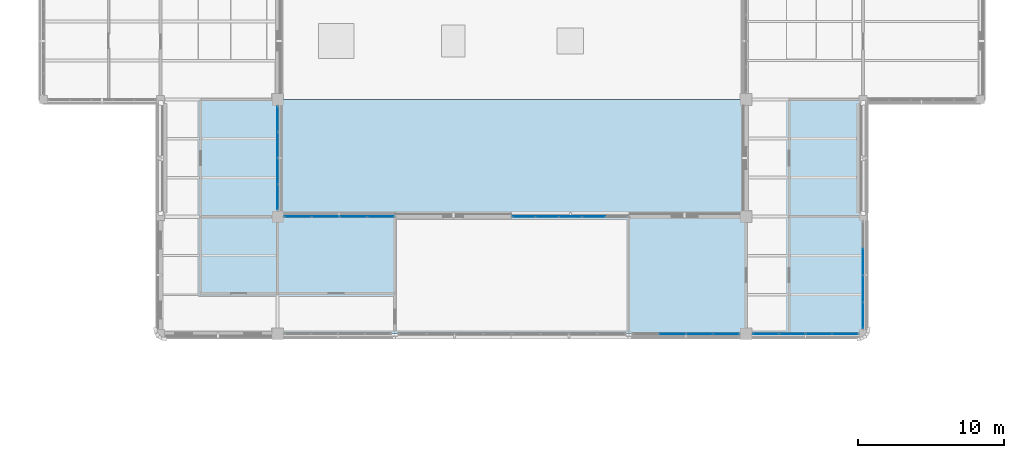
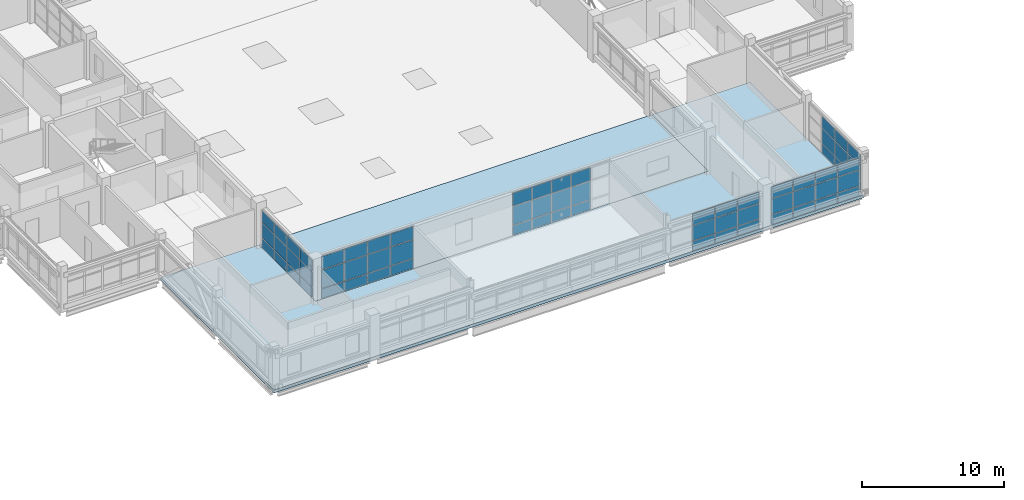
# One storey, part 59 of 107: 66 plates, 2 slabs, 6 elements without a shape of their own.
"""IFC4 building model written with IfcOpenShell, lengths in metres."""

from ifc_helpers import new_model, si_unit, derived_unit, direction, frame, origin, origin_2d, place, context, subcontext, project, spatial, polyline, rectangle, outline, extrude, material, layer, layer_set, type_object, element, aggregate, save


model = new_model("IFC4")

# Units and contexts
model_context = context("Model", 3, precision=1e-05, world=origin(), true_north=direction((0.0, 1.0)))
body_context = subcontext(model_context, "Body", "Model", "MODEL_VIEW")
ifc_project = project(units=[si_unit("LENGTHUNIT", "METRE"), si_unit("AREAUNIT", "SQUARE_METRE"), si_unit("VOLUMEUNIT", "CUBIC_METRE"), si_unit("PLANEANGLEUNIT", "RADIAN"), si_unit("MASSUNIT", "GRAM", prefix="KILO"), derived_unit("THERMALTRANSMITTANCEUNIT", [(si_unit("MASSUNIT", "GRAM", prefix="KILO"), 1), (si_unit("TIMEUNIT", "SECOND"), -3), (si_unit("THERMODYNAMICTEMPERATUREUNIT", "KELVIN"), -1)])], contexts=[model_context])

# Site, building, storey
site_placement = place(None, origin())
site = spatial("IfcSite", under=ifc_project, at=site_placement, CompositionType="ELEMENT")
building_placement = place(site_placement, origin())
building = spatial("IfcBuilding", under=site, at=building_placement, Name="Veyamyaing Civic Hall", CompositionType="ELEMENT")
storey_placement = place(building_placement, frame((0.0, 0.0, 13.860107421875)))
storey = spatial("IfcBuildingStorey", under=building, at=storey_placement, Name="L03", CompositionType="ELEMENT", Elevation=13.860107421875)

# Curtain wall, plates
ifc_material_1 = material(Name="Anodised aluminium 6063-T6", Category="aluminium")
ifc_layer_1 = layer(ifc_material_1, 0.159912109375, Name="Anodised aluminium 6063-T6")
ifc_layer_set_1 = layer_set([ifc_layer_1], Name="Anodised aluminium 6063-T6")
curtain_wall_type = type_object("IfcCurtainWallType", Name="CW-07", PredefinedType="NOTDEFINED", material=ifc_layer_set_1)
curtain_wall_1_placement = place(storey_placement, origin())
curtain_wall_1 = element("IfcCurtainWall", 1, at=curtain_wall_1_placement, inside=storey, type_object=curtain_wall_type, Name="Unitized curtain wall CW-07 L03 N 12.4", PredefinedType="NOTDEFINED")
ifc_material_2 = material(Name="Low-E insulated glass", Category="glass")
ifc_layer_2 = layer(ifc_material_2, 0.028076171875, Name="Low-E insulated glass")
ifc_layer_set_2 = layer_set([ifc_layer_2], Name="Low-E insulated glass")
plate_type_1 = type_object("IfcPlateType", Name="CWP-01", PredefinedType="CURTAIN_PANEL", material=ifc_layer_set_2)
plate_1_placement = place(storey_placement, frame((88.816162109375, 32.0, 0.06494140625), z_axis=(0.0, 0.0, 1.0), x_axis=(1.0, 0.0, 0.0)))
plate_1 = element("IfcPlate", 2, at=plate_1_placement, type_object=plate_type_1, Name="CW-07 panel 1.1", PredefinedType="CURTAIN_PANEL", context=body_context, shape_type="SweptSolid", body=[
    extrude(rectangle(XDim=1.50244140625, YDim=0.028076171875, at=origin_2d()), origin(), (0.0, 0.0, 1.0), 0.802490234375),
])
plate_2_placement = place(storey_placement, frame((88.816162109375, 32.0, 0.93212890625), z_axis=(0.0, 0.0, 1.0), x_axis=(1.0, 0.0, 0.0)))
plate_2 = element("IfcPlate", 3, at=plate_2_placement, type_object=plate_type_1, Name="CW-07 panel 1.2", PredefinedType="CURTAIN_PANEL", context=body_context, shape_type="SweptSolid", body=[
    extrude(rectangle(XDim=1.50244140625, YDim=0.028076171875, at=origin_2d()), origin(), (0.0, 0.0, 1.0), 1.568115234375),
])
plate_3_placement = place(storey_placement, frame((88.816162109375, 32.0, 2.5654296875), z_axis=(0.0, 0.0, 1.0), x_axis=(1.0, 0.0, 0.0)))
plate_3 = element("IfcPlate", 4, at=plate_3_placement, type_object=plate_type_1, Name="CW-07 panel 1.3", PredefinedType="CURTAIN_PANEL", context=body_context, shape_type="SweptSolid", body=[
    extrude(rectangle(XDim=1.50244140625, YDim=0.028076171875, at=origin_2d()), origin(), (0.0, 0.0, 1.0), 1.094482421875),
])
plate_4_placement = place(storey_placement, frame((90.39990234375, 32.0, 0.06494140625), z_axis=(0.0, 0.0, 1.0), x_axis=(1.0, 0.0, 0.0)))
plate_4 = element("IfcPlate", 5, at=plate_4_placement, type_object=plate_type_1, Name="CW-07 panel 2.1", PredefinedType="CURTAIN_PANEL", context=body_context, shape_type="SweptSolid", body=[
    extrude(rectangle(XDim=1.534912109375, YDim=0.028076171875, at=origin_2d()), origin(), (0.0, 0.0, 1.0), 0.802490234375),
])
plate_5_placement = place(storey_placement, frame((90.39990234375, 32.0, 0.93212890625), z_axis=(0.0, 0.0, 1.0), x_axis=(1.0, 0.0, 0.0)))
plate_5 = element("IfcPlate", 6, at=plate_5_placement, type_object=plate_type_1, Name="CW-07 panel 2.2", PredefinedType="CURTAIN_PANEL", context=body_context, shape_type="SweptSolid", body=[
    extrude(rectangle(XDim=1.534912109375, YDim=0.028076171875, at=origin_2d()), origin(), (0.0, 0.0, 1.0), 1.568115234375),
])
plate_6_placement = place(storey_placement, frame((90.39990234375, 32.0, 2.5654296875), z_axis=(0.0, 0.0, 1.0), x_axis=(1.0, 0.0, 0.0)))
plate_6 = element("IfcPlate", 7, at=plate_6_placement, type_object=plate_type_1, Name="CW-07 panel 2.3", PredefinedType="CURTAIN_PANEL", context=body_context, shape_type="SweptSolid", body=[
    extrude(rectangle(XDim=1.534912109375, YDim=0.028076171875, at=origin_2d()), origin(), (0.0, 0.0, 1.0), 1.094482421875),
])
plate_7_placement = place(storey_placement, frame((92.0, 32.0, 0.06494140625), z_axis=(0.0, 0.0, 1.0), x_axis=(1.0, 0.0, 0.0)))
plate_7 = element("IfcPlate", 8, at=plate_7_placement, type_object=plate_type_1, Name="CW-07 panel 3.1", PredefinedType="CURTAIN_PANEL", context=body_context, shape_type="SweptSolid", body=[
    extrude(rectangle(XDim=1.534912109375, YDim=0.028076171875, at=origin_2d()), origin(), (0.0, 0.0, 1.0), 0.802490234375),
])
plate_8_placement = place(storey_placement, frame((92.0, 32.0, 0.93212890625), z_axis=(0.0, 0.0, 1.0), x_axis=(1.0, 0.0, 0.0)))
plate_8 = element("IfcPlate", 9, at=plate_8_placement, type_object=plate_type_1, Name="CW-07 panel 3.2", PredefinedType="CURTAIN_PANEL", context=body_context, shape_type="SweptSolid", body=[
    extrude(rectangle(XDim=1.534912109375, YDim=0.028076171875, at=origin_2d()), origin(), (0.0, 0.0, 1.0), 1.568115234375),
])
plate_9_placement = place(storey_placement, frame((92.0, 32.0, 2.5654296875), z_axis=(0.0, 0.0, 1.0), x_axis=(1.0, 0.0, 0.0)))
plate_9 = element("IfcPlate", 10, at=plate_9_placement, type_object=plate_type_1, Name="CW-07 panel 3.3", PredefinedType="CURTAIN_PANEL", context=body_context, shape_type="SweptSolid", body=[
    extrude(rectangle(XDim=1.534912109375, YDim=0.028076171875, at=origin_2d()), origin(), (0.0, 0.0, 1.0), 1.094482421875),
])
plate_10_placement = place(storey_placement, frame((93.60009765625, 32.0, 0.06494140625), z_axis=(0.0, 0.0, 1.0), x_axis=(1.0, 0.0, 0.0)))
plate_10 = element("IfcPlate", 11, at=plate_10_placement, type_object=plate_type_1, Name="CW-07 panel 4.1", PredefinedType="CURTAIN_PANEL", context=body_context, shape_type="SweptSolid", body=[
    extrude(rectangle(XDim=1.534912109375, YDim=0.028076171875, at=origin_2d()), origin(), (0.0, 0.0, 1.0), 0.802490234375),
])
plate_11_placement = place(storey_placement, frame((93.60009765625, 32.0, 0.93212890625), z_axis=(0.0, 0.0, 1.0), x_axis=(1.0, 0.0, 0.0)))
plate_11 = element("IfcPlate", 12, at=plate_11_placement, type_object=plate_type_1, Name="CW-07 panel 4.2", PredefinedType="CURTAIN_PANEL", context=body_context, shape_type="SweptSolid", body=[
    extrude(rectangle(XDim=1.534912109375, YDim=0.028076171875, at=origin_2d()), origin(), (0.0, 0.0, 1.0), 1.568115234375),
])
plate_12_placement = place(storey_placement, frame((93.60009765625, 32.0, 2.5654296875), z_axis=(0.0, 0.0, 1.0), x_axis=(1.0, 0.0, 0.0)))
plate_12 = element("IfcPlate", 13, at=plate_12_placement, type_object=plate_type_1, Name="CW-07 panel 4.3", PredefinedType="CURTAIN_PANEL", context=body_context, shape_type="SweptSolid", body=[
    extrude(rectangle(XDim=1.534912109375, YDim=0.028076171875, at=origin_2d()), origin(), (0.0, 0.0, 1.0), 1.094482421875),
])
aggregate(curtain_wall_1, [plate_1, plate_2, plate_3, plate_4, plate_5, plate_6, plate_7, plate_8, plate_9, plate_10, plate_11, plate_12])

curtain_wall_2_placement = place(storey_placement, origin())
curtain_wall_2 = element("IfcCurtainWall", 14, at=curtain_wall_2_placement, inside=storey, type_object=curtain_wall_type, Name="Unitized curtain wall CW-07 L03 S 13.4", PredefinedType="NOTDEFINED")
ifc_layer_3 = layer(ifc_material_2, 0.031982421875, Name="Low-E insulated glass")
ifc_layer_set_3 = layer_set([ifc_layer_3], Name="Low-E insulated glass")
plate_type_2 = type_object("IfcPlateType", Name="CWP-02", PredefinedType="CURTAIN_PANEL", material=ifc_layer_set_3)
plate_13_placement = place(storey_placement, frame((98.972900390625, 24.0, 0.06494140625), z_axis=(0.0, 0.0, 1.0), x_axis=(1.0, 0.0, 0.0)))
plate_13 = element("IfcPlate", 15, at=plate_13_placement, type_object=plate_type_2, Name="CW-07 panel 2.1", PredefinedType="CURTAIN_PANEL", context=body_context, shape_type="SweptSolid", body=[
    extrude(rectangle(XDim=1.77392578125, YDim=0.031982421875, at=origin_2d()), origin(), (0.0, 0.0, 1.0), 0.802490234375),
])
plate_14_placement = place(storey_placement, frame((98.972900390625, 24.0, 0.932373046875), z_axis=(0.0, 0.0, 1.0), x_axis=(1.0, 0.0, 0.0)))
plate_14 = element("IfcPlate", 16, at=plate_14_placement, type_object=plate_type_2, Name="CW-07 panel 2.2", PredefinedType="CURTAIN_PANEL", context=body_context, shape_type="SweptSolid", body=[
    extrude(rectangle(XDim=1.77392578125, YDim=0.031982421875, at=origin_2d()), origin(), (0.0, 0.0, 1.0), 1.2783203125),
])
plate_15_placement = place(storey_placement, frame((98.972900390625, 24.0, 2.27587890625), z_axis=(0.0, 0.0, 1.0), x_axis=(1.0, 0.0, 0.0)))
plate_15 = element("IfcPlate", 17, at=plate_15_placement, type_object=plate_type_2, Name="CW-07 panel 2.3", PredefinedType="CURTAIN_PANEL", context=body_context, shape_type="SweptSolid", body=[
    extrude(rectangle(XDim=1.77392578125, YDim=0.031982421875, at=origin_2d()), origin(), (0.0, 0.0, 1.0), 0.958251953125),
])
plate_16_placement = place(storey_placement, frame((100.811767578125, 24.0, 0.06494140625), z_axis=(0.0, 0.0, 1.0), x_axis=(1.0, 0.0, 0.0)))
plate_16 = element("IfcPlate", 18, at=plate_16_placement, type_object=plate_type_2, Name="CW-07 panel 3.1", PredefinedType="CURTAIN_PANEL", context=body_context, shape_type="SweptSolid", body=[
    extrude(rectangle(XDim=1.77392578125, YDim=0.031982421875, at=origin_2d()), origin(), (0.0, 0.0, 1.0), 0.802490234375),
])
plate_17_placement = place(storey_placement, frame((100.811767578125, 24.0, 0.932373046875), z_axis=(0.0, 0.0, 1.0), x_axis=(1.0, 0.0, 0.0)))
plate_17 = element("IfcPlate", 19, at=plate_17_placement, type_object=plate_type_2, Name="CW-07 panel 3.2", PredefinedType="CURTAIN_PANEL", context=body_context, shape_type="SweptSolid", body=[
    extrude(rectangle(XDim=1.77392578125, YDim=0.031982421875, at=origin_2d()), origin(), (0.0, 0.0, 1.0), 1.2783203125),
])
plate_18_placement = place(storey_placement, frame((100.811767578125, 24.0, 2.27587890625), z_axis=(0.0, 0.0, 1.0), x_axis=(1.0, 0.0, 0.0)))
plate_18 = element("IfcPlate", 20, at=plate_18_placement, type_object=plate_type_2, Name="CW-07 panel 3.3", PredefinedType="CURTAIN_PANEL", context=body_context, shape_type="SweptSolid", body=[
    extrude(rectangle(XDim=1.77392578125, YDim=0.031982421875, at=origin_2d()), origin(), (0.0, 0.0, 1.0), 0.958251953125),
])
plate_19_placement = place(storey_placement, frame((102.63427734375, 24.0, 0.06494140625), z_axis=(0.0, 0.0, 1.0), x_axis=(1.0, 0.0, 0.0)))
plate_19 = element("IfcPlate", 21, at=plate_19_placement, type_object=plate_type_2, Name="CW-07 panel 4.1", PredefinedType="CURTAIN_PANEL", context=body_context, shape_type="SweptSolid", body=[
    extrude(rectangle(XDim=1.741455078125, YDim=0.031982421875, at=origin_2d()), origin(), (0.0, 0.0, 1.0), 0.802490234375),
])
plate_20_placement = place(storey_placement, frame((102.63427734375, 24.0, 0.932373046875), z_axis=(0.0, 0.0, 1.0), x_axis=(1.0, 0.0, 0.0)))
plate_20 = element("IfcPlate", 22, at=plate_20_placement, type_object=plate_type_2, Name="CW-07 panel 4.2", PredefinedType="CURTAIN_PANEL", context=body_context, shape_type="SweptSolid", body=[
    extrude(rectangle(XDim=1.741455078125, YDim=0.031982421875, at=origin_2d()), origin(), (0.0, 0.0, 1.0), 1.2783203125),
])
plate_21_placement = place(storey_placement, frame((102.63427734375, 24.0, 2.27587890625), z_axis=(0.0, 0.0, 1.0), x_axis=(1.0, 0.0, 0.0)))
plate_21 = element("IfcPlate", 23, at=plate_21_placement, type_object=plate_type_2, Name="CW-07 panel 4.3", PredefinedType="CURTAIN_PANEL", context=body_context, shape_type="SweptSolid", body=[
    extrude(rectangle(XDim=1.741455078125, YDim=0.031982421875, at=origin_2d()), origin(), (0.0, 0.0, 1.0), 0.958251953125),
])
aggregate(curtain_wall_2, [plate_13, plate_14, plate_15, plate_16, plate_17, plate_18, plate_19, plate_20, plate_21])

curtain_wall_3_placement = place(storey_placement, origin())
curtain_wall_3 = element("IfcCurtainWall", 24, at=curtain_wall_3_placement, inside=storey, type_object=curtain_wall_type, Name="Unitized curtain wall CW-07 L03 S 14.4", PredefinedType="NOTDEFINED")
ifc_layer_4 = layer(ifc_material_2, 0.035888671875, Name="Low-E insulated glass")
ifc_layer_set_4 = layer_set([ifc_layer_4], Name="Low-E insulated glass")
plate_type_3 = type_object("IfcPlateType", Name="CWP-03", PredefinedType="CURTAIN_PANEL", material=ifc_layer_set_4)
plate_22_placement = place(storey_placement, frame((105.3544921875, 24.0, 0.06494140625), z_axis=(0.0, 0.0, 1.0), x_axis=(1.0, 0.0, 0.0)))
plate_22 = element("IfcPlate", 25, at=plate_22_placement, type_object=plate_type_3, Name="CW-07 panel 1.1", PredefinedType="CURTAIN_PANEL", context=body_context, shape_type="SweptSolid", body=[
    extrude(rectangle(XDim=1.71875, YDim=0.035888671875, at=origin_2d()), origin(), (0.0, 0.0, 1.0), 0.802490234375),
])
plate_23_placement = place(storey_placement, frame((105.3544921875, 24.0, 0.932373046875), z_axis=(0.0, 0.0, 1.0), x_axis=(1.0, 0.0, 0.0)))
plate_23 = element("IfcPlate", 26, at=plate_23_placement, type_object=plate_type_3, Name="CW-07 panel 1.2", PredefinedType="CURTAIN_PANEL", context=body_context, shape_type="SweptSolid", body=[
    extrude(rectangle(XDim=1.71875, YDim=0.035888671875, at=origin_2d()), origin(), (0.0, 0.0, 1.0), 1.32470703125),
])
plate_24_placement = place(storey_placement, frame((105.3544921875, 24.0, 2.322021484375), z_axis=(0.0, 0.0, 1.0), x_axis=(1.0, 0.0, 0.0)))
plate_24 = element("IfcPlate", 27, at=plate_24_placement, type_object=plate_type_3, Name="CW-07 panel 1.3", PredefinedType="CURTAIN_PANEL", context=body_context, shape_type="SweptSolid", body=[
    extrude(rectangle(XDim=1.71875, YDim=0.035888671875, at=origin_2d()), origin(), (0.0, 0.0, 1.0), 0.97998046875),
])
plate_25_placement = place(storey_placement, frame((107.154296875, 24.0, 0.06494140625), z_axis=(0.0, 0.0, 1.0), x_axis=(1.0, 0.0, 0.0)))
plate_25 = element("IfcPlate", 28, at=plate_25_placement, type_object=plate_type_3, Name="CW-07 panel 2.1", PredefinedType="CURTAIN_PANEL", context=body_context, shape_type="SweptSolid", body=[
    extrude(rectangle(XDim=1.751220703125, YDim=0.035888671875, at=origin_2d()), origin(), (0.0, 0.0, 1.0), 0.802490234375),
])
plate_26_placement = place(storey_placement, frame((107.154296875, 24.0, 0.932373046875), z_axis=(0.0, 0.0, 1.0), x_axis=(1.0, 0.0, 0.0)))
plate_26 = element("IfcPlate", 29, at=plate_26_placement, type_object=plate_type_3, Name="CW-07 panel 2.2", PredefinedType="CURTAIN_PANEL", context=body_context, shape_type="SweptSolid", body=[
    extrude(rectangle(XDim=1.751220703125, YDim=0.035888671875, at=origin_2d()), origin(), (0.0, 0.0, 1.0), 1.32470703125),
])
plate_27_placement = place(storey_placement, frame((107.154296875, 24.0, 2.322021484375), z_axis=(0.0, 0.0, 1.0), x_axis=(1.0, 0.0, 0.0)))
plate_27 = element("IfcPlate", 30, at=plate_27_placement, type_object=plate_type_3, Name="CW-07 panel 2.3", PredefinedType="CURTAIN_PANEL", context=body_context, shape_type="SweptSolid", body=[
    extrude(rectangle(XDim=1.751220703125, YDim=0.035888671875, at=origin_2d()), origin(), (0.0, 0.0, 1.0), 0.97998046875),
])
plate_28_placement = place(storey_placement, frame((108.970703125, 24.0, 0.06494140625), z_axis=(0.0, 0.0, 1.0), x_axis=(1.0, 0.0, 0.0)))
plate_28 = element("IfcPlate", 31, at=plate_28_placement, type_object=plate_type_3, Name="CW-07 panel 3.1", PredefinedType="CURTAIN_PANEL", context=body_context, shape_type="SweptSolid", body=[
    extrude(rectangle(XDim=1.751220703125, YDim=0.035888671875, at=origin_2d()), origin(), (0.0, 0.0, 1.0), 0.802490234375),
])
plate_29_placement = place(storey_placement, frame((108.970703125, 24.0, 0.932373046875), z_axis=(0.0, 0.0, 1.0), x_axis=(1.0, 0.0, 0.0)))
plate_29 = element("IfcPlate", 32, at=plate_29_placement, type_object=plate_type_3, Name="CW-07 panel 3.2", PredefinedType="CURTAIN_PANEL", context=body_context, shape_type="SweptSolid", body=[
    extrude(rectangle(XDim=1.751220703125, YDim=0.035888671875, at=origin_2d()), origin(), (0.0, 0.0, 1.0), 1.32470703125),
])
plate_30_placement = place(storey_placement, frame((108.970703125, 24.0, 2.322021484375), z_axis=(0.0, 0.0, 1.0), x_axis=(1.0, 0.0, 0.0)))
plate_30 = element("IfcPlate", 33, at=plate_30_placement, type_object=plate_type_3, Name="CW-07 panel 3.3", PredefinedType="CURTAIN_PANEL", context=body_context, shape_type="SweptSolid", body=[
    extrude(rectangle(XDim=1.751220703125, YDim=0.035888671875, at=origin_2d()), origin(), (0.0, 0.0, 1.0), 0.97998046875),
])
plate_31_placement = place(storey_placement, frame((110.7705078125, 24.0, 0.06494140625), z_axis=(0.0, 0.0, 1.0), x_axis=(1.0, 0.0, 0.0)))
plate_31 = element("IfcPlate", 34, at=plate_31_placement, type_object=plate_type_3, Name="CW-07 panel 4.1", PredefinedType="CURTAIN_PANEL", context=body_context, shape_type="SweptSolid", body=[
    extrude(rectangle(XDim=1.71875, YDim=0.035888671875, at=origin_2d()), origin(), (0.0, 0.0, 1.0), 0.802490234375),
])
plate_32_placement = place(storey_placement, frame((110.7705078125, 24.0, 0.932373046875), z_axis=(0.0, 0.0, 1.0), x_axis=(1.0, 0.0, 0.0)))
plate_32 = element("IfcPlate", 35, at=plate_32_placement, type_object=plate_type_3, Name="CW-07 panel 4.2", PredefinedType="CURTAIN_PANEL", context=body_context, shape_type="SweptSolid", body=[
    extrude(rectangle(XDim=1.71875, YDim=0.035888671875, at=origin_2d()), origin(), (0.0, 0.0, 1.0), 1.32470703125),
])
plate_33_placement = place(storey_placement, frame((110.7705078125, 24.0, 2.322021484375), z_axis=(0.0, 0.0, 1.0), x_axis=(1.0, 0.0, 0.0)))
plate_33 = element("IfcPlate", 36, at=plate_33_placement, type_object=plate_type_3, Name="CW-07 panel 4.3", PredefinedType="CURTAIN_PANEL", context=body_context, shape_type="SweptSolid", body=[
    extrude(rectangle(XDim=1.71875, YDim=0.035888671875, at=origin_2d()), origin(), (0.0, 0.0, 1.0), 0.97998046875),
])
aggregate(curtain_wall_3, [plate_22, plate_23, plate_24, plate_25, plate_26, plate_27, plate_28, plate_29, plate_30, plate_31, plate_32, plate_33])

curtain_wall_4_placement = place(storey_placement, origin())
curtain_wall_4 = element("IfcCurtainWall", 37, at=curtain_wall_4_placement, inside=storey, type_object=curtain_wall_type, Name="Unitized curtain wall CW-07 L03 E 14.4", PredefinedType="NOTDEFINED")
plate_34_placement = place(storey_placement, frame((112.0, 25.2451171875, 0.06494140625), z_axis=(0.0, 0.0, 1.0), x_axis=(0.0, 1.0, 0.0)))
plate_34 = element("IfcPlate", 38, at=plate_34_placement, type_object=plate_type_3, Name="CW-07 panel 1.1", PredefinedType="CURTAIN_PANEL", context=body_context, shape_type="SweptSolid", body=[
    extrude(rectangle(XDim=1.75, YDim=0.035888671875, at=origin_2d()), origin(), (0.0, 0.0, 1.0), 0.802490234375),
])
plate_35_placement = place(storey_placement, frame((112.0, 25.2451171875, 0.93212890625), z_axis=(0.0, 0.0, 1.0), x_axis=(0.0, 1.0, 0.0)))
plate_35 = element("IfcPlate", 39, at=plate_35_placement, type_object=plate_type_3, Name="CW-07 panel 1.2", PredefinedType="CURTAIN_PANEL", context=body_context, shape_type="SweptSolid", body=[
    extrude(rectangle(XDim=1.75, YDim=0.035888671875, at=origin_2d()), origin(), (0.0, 0.0, 1.0), 1.279052734375),
])
plate_36_placement = place(storey_placement, frame((112.0, 25.2451171875, 2.2763671875), z_axis=(0.0, 0.0, 1.0), x_axis=(0.0, 1.0, 0.0)))
plate_36 = element("IfcPlate", 40, at=plate_36_placement, type_object=plate_type_3, Name="CW-07 panel 1.3", PredefinedType="CURTAIN_PANEL", context=body_context, shape_type="SweptSolid", body=[
    extrude(rectangle(XDim=1.75, YDim=0.035888671875, at=origin_2d()), origin(), (0.0, 0.0, 1.0), 0.95849609375),
])
plate_37_placement = place(storey_placement, frame((112.0, 27.076171875, 0.06494140625), z_axis=(0.0, 0.0, 1.0), x_axis=(0.0, 1.0, 0.0)))
plate_37 = element("IfcPlate", 41, at=plate_37_placement, type_object=plate_type_3, Name="CW-07 panel 2.1", PredefinedType="CURTAIN_PANEL", context=body_context, shape_type="SweptSolid", body=[
    extrude(rectangle(XDim=1.782470703125, YDim=0.035888671875, at=origin_2d()), origin(), (0.0, 0.0, 1.0), 0.802490234375),
])
plate_38_placement = place(storey_placement, frame((112.0, 27.076171875, 0.93212890625), z_axis=(0.0, 0.0, 1.0), x_axis=(0.0, 1.0, 0.0)))
plate_38 = element("IfcPlate", 42, at=plate_38_placement, type_object=plate_type_3, Name="CW-07 panel 2.2", PredefinedType="CURTAIN_PANEL", context=body_context, shape_type="SweptSolid", body=[
    extrude(rectangle(XDim=1.782470703125, YDim=0.035888671875, at=origin_2d()), origin(), (0.0, 0.0, 1.0), 1.279052734375),
])
plate_39_placement = place(storey_placement, frame((112.0, 27.076171875, 2.2763671875), z_axis=(0.0, 0.0, 1.0), x_axis=(0.0, 1.0, 0.0)))
plate_39 = element("IfcPlate", 43, at=plate_39_placement, type_object=plate_type_3, Name="CW-07 panel 2.3", PredefinedType="CURTAIN_PANEL", context=body_context, shape_type="SweptSolid", body=[
    extrude(rectangle(XDim=1.782470703125, YDim=0.035888671875, at=origin_2d()), origin(), (0.0, 0.0, 1.0), 0.95849609375),
])
plate_40_placement = place(storey_placement, frame((112.0, 28.923828125, 0.06494140625), z_axis=(0.0, 0.0, 1.0), x_axis=(0.0, 1.0, 0.0)))
plate_40 = element("IfcPlate", 44, at=plate_40_placement, type_object=plate_type_3, Name="CW-07 panel 3.1", PredefinedType="CURTAIN_PANEL", context=body_context, shape_type="SweptSolid", body=[
    extrude(rectangle(XDim=1.782470703125, YDim=0.035888671875, at=origin_2d()), origin(), (0.0, 0.0, 1.0), 0.802490234375),
])
plate_41_placement = place(storey_placement, frame((112.0, 28.923828125, 0.93212890625), z_axis=(0.0, 0.0, 1.0), x_axis=(0.0, 1.0, 0.0)))
plate_41 = element("IfcPlate", 45, at=plate_41_placement, type_object=plate_type_3, Name="CW-07 panel 3.2", PredefinedType="CURTAIN_PANEL", context=body_context, shape_type="SweptSolid", body=[
    extrude(rectangle(XDim=1.782470703125, YDim=0.035888671875, at=origin_2d()), origin(), (0.0, 0.0, 1.0), 1.279052734375),
])
plate_42_placement = place(storey_placement, frame((112.0, 28.923828125, 2.2763671875), z_axis=(0.0, 0.0, 1.0), x_axis=(0.0, 1.0, 0.0)))
plate_42 = element("IfcPlate", 46, at=plate_42_placement, type_object=plate_type_3, Name="CW-07 panel 3.3", PredefinedType="CURTAIN_PANEL", context=body_context, shape_type="SweptSolid", body=[
    extrude(rectangle(XDim=1.782470703125, YDim=0.035888671875, at=origin_2d()), origin(), (0.0, 0.0, 1.0), 0.95849609375),
])
aggregate(curtain_wall_4, [plate_34, plate_35, plate_36, plate_37, plate_38, plate_39, plate_40, plate_41, plate_42])

curtain_wall_5_placement = place(storey_placement, origin())
curtain_wall_5 = element("IfcCurtainWall", 47, at=curtain_wall_5_placement, inside=storey, type_object=curtain_wall_type, Name="Unitized curtain wall CW-07 L03 E 9.5", PredefinedType="NOTDEFINED")
ifc_layer_5 = layer(ifc_material_2, 0.0400390625, Name="Low-E insulated glass")
ifc_layer_set_5 = layer_set([ifc_layer_5], Name="Low-E insulated glass")
plate_type_4 = type_object("IfcPlateType", Name="CWP-05", PredefinedType="CURTAIN_PANEL", material=ifc_layer_set_5)
plate_43_placement = place(storey_placement, frame((72.0, 33.3388671875, 0.06494140625), z_axis=(0.0, 0.0, 1.0), x_axis=(0.0, 1.0, 0.0)))
plate_43 = element("IfcPlate", 48, at=plate_43_placement, type_object=plate_type_4, Name="CW-07 panel 1.1", PredefinedType="CURTAIN_PANEL", context=body_context, shape_type="SweptSolid", body=[
    extrude(rectangle(XDim=1.6875, YDim=0.0400390625, at=origin_2d()), origin(), (0.0, 0.0, 1.0), 0.802490234375),
])
plate_44_placement = place(storey_placement, frame((72.0, 33.3388671875, 0.93212890625), z_axis=(0.0, 0.0, 1.0), x_axis=(0.0, 1.0, 0.0)))
plate_44 = element("IfcPlate", 49, at=plate_44_placement, type_object=plate_type_4, Name="CW-07 panel 1.2", PredefinedType="CURTAIN_PANEL", context=body_context, shape_type="SweptSolid", body=[
    extrude(rectangle(XDim=1.6875, YDim=0.0400390625, at=origin_2d()), origin(), (0.0, 0.0, 1.0), 1.279052734375),
])
plate_45_placement = place(storey_placement, frame((72.0, 33.3388671875, 2.2763671875), z_axis=(0.0, 0.0, 1.0), x_axis=(0.0, 1.0, 0.0)))
plate_45 = element("IfcPlate", 50, at=plate_45_placement, type_object=plate_type_4, Name="CW-07 panel 1.3", PredefinedType="CURTAIN_PANEL", context=body_context, shape_type="SweptSolid", body=[
    extrude(rectangle(XDim=1.6875, YDim=0.0400390625, at=origin_2d()), origin(), (0.0, 0.0, 1.0), 0.95849609375),
])
plate_46_placement = place(storey_placement, frame((72.0, 35.107421875, 0.06494140625), z_axis=(0.0, 0.0, 1.0), x_axis=(0.0, 1.0, 0.0)))
plate_46 = element("IfcPlate", 51, at=plate_46_placement, type_object=plate_type_4, Name="CW-07 panel 2.1", PredefinedType="CURTAIN_PANEL", context=body_context, shape_type="SweptSolid", body=[
    extrude(rectangle(XDim=1.719970703125, YDim=0.0400390625, at=origin_2d()), origin(), (0.0, 0.0, 1.0), 0.802490234375),
])
plate_47_placement = place(storey_placement, frame((72.0, 35.107421875, 0.93212890625), z_axis=(0.0, 0.0, 1.0), x_axis=(0.0, 1.0, 0.0)))
plate_47 = element("IfcPlate", 52, at=plate_47_placement, type_object=plate_type_4, Name="CW-07 panel 2.2", PredefinedType="CURTAIN_PANEL", context=body_context, shape_type="SweptSolid", body=[
    extrude(rectangle(XDim=1.719970703125, YDim=0.0400390625, at=origin_2d()), origin(), (0.0, 0.0, 1.0), 1.279052734375),
])
plate_48_placement = place(storey_placement, frame((72.0, 35.107421875, 2.2763671875), z_axis=(0.0, 0.0, 1.0), x_axis=(0.0, 1.0, 0.0)))
plate_48 = element("IfcPlate", 53, at=plate_48_placement, type_object=plate_type_4, Name="CW-07 panel 2.3", PredefinedType="CURTAIN_PANEL", context=body_context, shape_type="SweptSolid", body=[
    extrude(rectangle(XDim=1.719970703125, YDim=0.0400390625, at=origin_2d()), origin(), (0.0, 0.0, 1.0), 0.95849609375),
])
plate_49_placement = place(storey_placement, frame((72.0, 36.892578125, 0.06494140625), z_axis=(0.0, 0.0, 1.0), x_axis=(0.0, 1.0, 0.0)))
plate_49 = element("IfcPlate", 54, at=plate_49_placement, type_object=plate_type_4, Name="CW-07 panel 3.1", PredefinedType="CURTAIN_PANEL", context=body_context, shape_type="SweptSolid", body=[
    extrude(rectangle(XDim=1.719970703125, YDim=0.0400390625, at=origin_2d()), origin(), (0.0, 0.0, 1.0), 0.802490234375),
])
plate_50_placement = place(storey_placement, frame((72.0, 36.892578125, 0.93212890625), z_axis=(0.0, 0.0, 1.0), x_axis=(0.0, 1.0, 0.0)))
plate_50 = element("IfcPlate", 55, at=plate_50_placement, type_object=plate_type_4, Name="CW-07 panel 3.2", PredefinedType="CURTAIN_PANEL", context=body_context, shape_type="SweptSolid", body=[
    extrude(rectangle(XDim=1.719970703125, YDim=0.0400390625, at=origin_2d()), origin(), (0.0, 0.0, 1.0), 1.279052734375),
])
plate_51_placement = place(storey_placement, frame((72.0, 36.892578125, 2.2763671875), z_axis=(0.0, 0.0, 1.0), x_axis=(0.0, 1.0, 0.0)))
plate_51 = element("IfcPlate", 56, at=plate_51_placement, type_object=plate_type_4, Name="CW-07 panel 3.3", PredefinedType="CURTAIN_PANEL", context=body_context, shape_type="SweptSolid", body=[
    extrude(rectangle(XDim=1.719970703125, YDim=0.0400390625, at=origin_2d()), origin(), (0.0, 0.0, 1.0), 0.95849609375),
])
plate_52_placement = place(storey_placement, frame((72.0, 38.6611328125, 0.06494140625), z_axis=(0.0, 0.0, 1.0), x_axis=(0.0, 1.0, 0.0)))
plate_52 = element("IfcPlate", 57, at=plate_52_placement, type_object=plate_type_4, Name="CW-07 panel 4.1", PredefinedType="CURTAIN_PANEL", context=body_context, shape_type="SweptSolid", body=[
    extrude(rectangle(XDim=1.6875, YDim=0.0400390625, at=origin_2d()), origin(), (0.0, 0.0, 1.0), 0.802490234375),
])
plate_53_placement = place(storey_placement, frame((72.0, 38.6611328125, 0.93212890625), z_axis=(0.0, 0.0, 1.0), x_axis=(0.0, 1.0, 0.0)))
plate_53 = element("IfcPlate", 58, at=plate_53_placement, type_object=plate_type_4, Name="CW-07 panel 4.2", PredefinedType="CURTAIN_PANEL", context=body_context, shape_type="SweptSolid", body=[
    extrude(rectangle(XDim=1.6875, YDim=0.0400390625, at=origin_2d()), origin(), (0.0, 0.0, 1.0), 1.279052734375),
])
plate_54_placement = place(storey_placement, frame((72.0, 38.6611328125, 2.2763671875), z_axis=(0.0, 0.0, 1.0), x_axis=(0.0, 1.0, 0.0)))
plate_54 = element("IfcPlate", 59, at=plate_54_placement, type_object=plate_type_4, Name="CW-07 panel 4.3", PredefinedType="CURTAIN_PANEL", context=body_context, shape_type="SweptSolid", body=[
    extrude(rectangle(XDim=1.6875, YDim=0.0400390625, at=origin_2d()), origin(), (0.0, 0.0, 1.0), 0.95849609375),
])
aggregate(curtain_wall_5, [plate_43, plate_44, plate_45, plate_46, plate_47, plate_48, plate_49, plate_50, plate_51, plate_52, plate_53, plate_54])

curtain_wall_6_placement = place(storey_placement, origin())
curtain_wall_6 = element("IfcCurtainWall", 60, at=curtain_wall_6_placement, inside=storey, type_object=curtain_wall_type, Name="Unitized curtain wall CW-07 L03 N 10.4", PredefinedType="NOTDEFINED")
plate_55_placement = place(storey_placement, frame((73.392578125, 32.0, 0.06494140625), z_axis=(0.0, 0.0, 1.0), x_axis=(1.0, 0.0, 0.0)))
plate_55 = element("IfcPlate", 61, at=plate_55_placement, type_object=plate_type_4, Name="CW-07 panel 1.1", PredefinedType="CURTAIN_PANEL", context=body_context, shape_type="SweptSolid", body=[
    extrude(rectangle(XDim=1.794921875, YDim=0.0400390625, at=origin_2d()), origin(), (0.0, 0.0, 1.0), 0.802490234375),
])
plate_56_placement = place(storey_placement, frame((73.392578125, 32.0, 0.93212890625), z_axis=(0.0, 0.0, 1.0), x_axis=(1.0, 0.0, 0.0)))
plate_56 = element("IfcPlate", 62, at=plate_56_placement, type_object=plate_type_4, Name="CW-07 panel 1.2", PredefinedType="CURTAIN_PANEL", context=body_context, shape_type="SweptSolid", body=[
    extrude(rectangle(XDim=1.794921875, YDim=0.0400390625, at=origin_2d()), origin(), (0.0, 0.0, 1.0), 1.568115234375),
])
plate_57_placement = place(storey_placement, frame((73.392578125, 32.0, 2.5654296875), z_axis=(0.0, 0.0, 1.0), x_axis=(1.0, 0.0, 0.0)))
plate_57 = element("IfcPlate", 63, at=plate_57_placement, type_object=plate_type_4, Name="CW-07 panel 1.3", PredefinedType="CURTAIN_PANEL", context=body_context, shape_type="SweptSolid", body=[
    extrude(rectangle(XDim=1.794921875, YDim=0.0400390625, at=origin_2d()), origin(), (0.0, 0.0, 1.0), 1.094482421875),
])
plate_58_placement = place(storey_placement, frame((75.268798828125, 32.0, 0.06494140625), z_axis=(0.0, 0.0, 1.0), x_axis=(1.0, 0.0, 0.0)))
plate_58 = element("IfcPlate", 64, at=plate_58_placement, type_object=plate_type_4, Name="CW-07 panel 2.1", PredefinedType="CURTAIN_PANEL", context=body_context, shape_type="SweptSolid", body=[
    extrude(rectangle(XDim=1.827392578125, YDim=0.0400390625, at=origin_2d()), origin(), (0.0, 0.0, 1.0), 0.802490234375),
])
plate_59_placement = place(storey_placement, frame((75.268798828125, 32.0, 0.93212890625), z_axis=(0.0, 0.0, 1.0), x_axis=(1.0, 0.0, 0.0)))
plate_59 = element("IfcPlate", 65, at=plate_59_placement, type_object=plate_type_4, Name="CW-07 panel 2.2", PredefinedType="CURTAIN_PANEL", context=body_context, shape_type="SweptSolid", body=[
    extrude(rectangle(XDim=1.827392578125, YDim=0.0400390625, at=origin_2d()), origin(), (0.0, 0.0, 1.0), 1.568115234375),
])
plate_60_placement = place(storey_placement, frame((75.268798828125, 32.0, 2.5654296875), z_axis=(0.0, 0.0, 1.0), x_axis=(1.0, 0.0, 0.0)))
plate_60 = element("IfcPlate", 66, at=plate_60_placement, type_object=plate_type_4, Name="CW-07 panel 2.3", PredefinedType="CURTAIN_PANEL", context=body_context, shape_type="SweptSolid", body=[
    extrude(rectangle(XDim=1.827392578125, YDim=0.0400390625, at=origin_2d()), origin(), (0.0, 0.0, 1.0), 1.094482421875),
])
plate_61_placement = place(storey_placement, frame((77.1611328125, 32.0, 0.06494140625), z_axis=(0.0, 0.0, 1.0), x_axis=(1.0, 0.0, 0.0)))
plate_61 = element("IfcPlate", 67, at=plate_61_placement, type_object=plate_type_4, Name="CW-07 panel 3.1", PredefinedType="CURTAIN_PANEL", context=body_context, shape_type="SweptSolid", body=[
    extrude(rectangle(XDim=1.827392578125, YDim=0.0400390625, at=origin_2d()), origin(), (0.0, 0.0, 1.0), 0.802490234375),
])
plate_62_placement = place(storey_placement, frame((77.1611328125, 32.0, 0.93212890625), z_axis=(0.0, 0.0, 1.0), x_axis=(1.0, 0.0, 0.0)))
plate_62 = element("IfcPlate", 68, at=plate_62_placement, type_object=plate_type_4, Name="CW-07 panel 3.2", PredefinedType="CURTAIN_PANEL", context=body_context, shape_type="SweptSolid", body=[
    extrude(rectangle(XDim=1.827392578125, YDim=0.0400390625, at=origin_2d()), origin(), (0.0, 0.0, 1.0), 1.568115234375),
])
plate_63_placement = place(storey_placement, frame((77.1611328125, 32.0, 2.5654296875), z_axis=(0.0, 0.0, 1.0), x_axis=(1.0, 0.0, 0.0)))
plate_63 = element("IfcPlate", 69, at=plate_63_placement, type_object=plate_type_4, Name="CW-07 panel 3.3", PredefinedType="CURTAIN_PANEL", context=body_context, shape_type="SweptSolid", body=[
    extrude(rectangle(XDim=1.827392578125, YDim=0.0400390625, at=origin_2d()), origin(), (0.0, 0.0, 1.0), 1.094482421875),
])
plate_64_placement = place(storey_placement, frame((79.03759765625, 32.0, 0.06494140625), z_axis=(0.0, 0.0, 1.0), x_axis=(1.0, 0.0, 0.0)))
plate_64 = element("IfcPlate", 70, at=plate_64_placement, type_object=plate_type_4, Name="CW-07 panel 4.1", PredefinedType="CURTAIN_PANEL", context=body_context, shape_type="SweptSolid", body=[
    extrude(rectangle(XDim=1.794921875, YDim=0.0400390625, at=origin_2d()), origin(), (0.0, 0.0, 1.0), 0.802490234375),
])
plate_65_placement = place(storey_placement, frame((79.03759765625, 32.0, 0.93212890625), z_axis=(0.0, 0.0, 1.0), x_axis=(1.0, 0.0, 0.0)))
plate_65 = element("IfcPlate", 71, at=plate_65_placement, type_object=plate_type_4, Name="CW-07 panel 4.2", PredefinedType="CURTAIN_PANEL", context=body_context, shape_type="SweptSolid", body=[
    extrude(rectangle(XDim=1.794921875, YDim=0.0400390625, at=origin_2d()), origin(), (0.0, 0.0, 1.0), 1.568115234375),
])
plate_66_placement = place(storey_placement, frame((79.03759765625, 32.0, 2.5654296875), z_axis=(0.0, 0.0, 1.0), x_axis=(1.0, 0.0, 0.0)))
plate_66 = element("IfcPlate", 72, at=plate_66_placement, type_object=plate_type_4, Name="CW-07 panel 4.3", PredefinedType="CURTAIN_PANEL", context=body_context, shape_type="SweptSolid", body=[
    extrude(rectangle(XDim=1.794921875, YDim=0.0400390625, at=origin_2d()), origin(), (0.0, 0.0, 1.0), 1.094482421875),
])
aggregate(curtain_wall_6, [plate_55, plate_56, plate_57, plate_58, plate_59, plate_60, plate_61, plate_62, plate_63, plate_64, plate_65, plate_66])

# Slabs
ifc_material_3 = material(Name="Concrete C40/50", Category="concrete")
ifc_layer_6 = layer(ifc_material_3, 0.2548828125, Name="Concrete C40/50")
ifc_layer_set_6 = layer_set([ifc_layer_6], Name="Concrete C40/50")
slab_type_1 = type_object("IfcSlabType", Name="SL-05", PredefinedType="FLOOR", material=ifc_layer_set_6)
slab_1_placement = place(storey_placement, frame((0.0, 0.0, -0.255126953125)))
element("IfcSlab", 73, at=slab_1_placement, inside=storey, type_object=slab_type_1, Name="Floor slab SL-05 L03 V1S.1", PredefinedType="FLOOR", context=body_context, shape_type="SweptSolid", body=[
    extrude(outline(polyline([(72.0, 32.0), (104.0, 32.0), (104.0, 40.0), (112.0, 40.0), (112.0, 24.0), (64.0, 24.0), (64.0, 40.0), (72.0, 40.0), (72.0, 32.0)])), origin(), (0.0, 0.0, 1.0), 0.255126953125),
])
ifc_layer_7 = layer(ifc_material_3, 0.239990234375, Name="Concrete C40/50")
ifc_layer_set_7 = layer_set([ifc_layer_7], Name="Concrete C40/50")
slab_type_2 = type_object("IfcSlabType", Name="SL-15", PredefinedType="ROOF", material=ifc_layer_set_7)
slab_2_placement = place(storey_placement, frame((0.0, 0.0, -0.239990234375)))
element("IfcSlab", 74, at=slab_2_placement, inside=storey, type_object=slab_type_2, Name="Roof slab SL-15 L03 V1S.1", PredefinedType="ROOF", context=body_context, shape_type="SweptSolid", body=[
    extrude(outline(polyline([(72.0, 40.0), (104.0, 40.0), (104.0, 32.0), (72.0, 32.0), (72.0, 40.0)])), origin(), (0.0, 0.0, 1.0), 0.239990234375),
])

save(model, "model.ifc")
